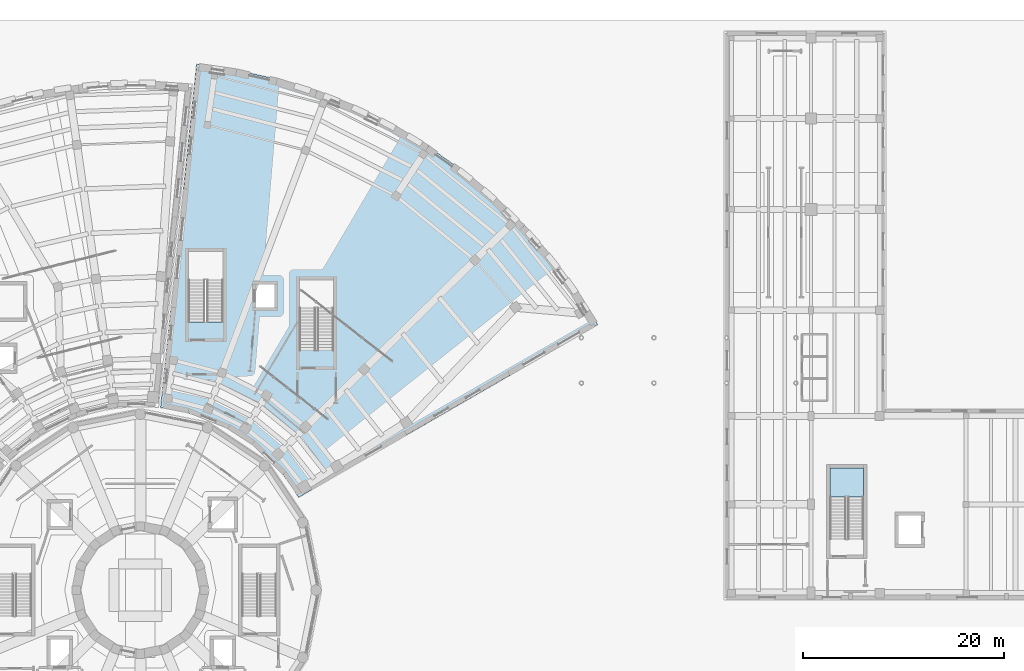
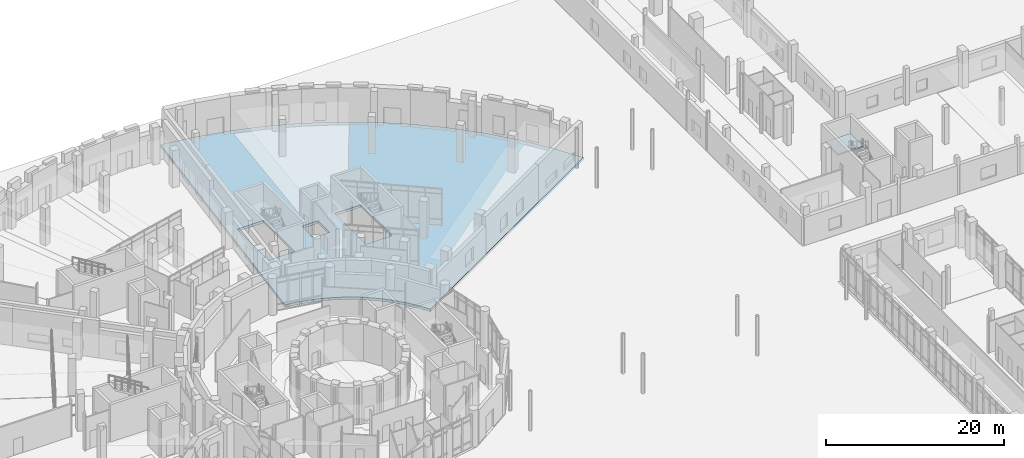
# One storey, part 39 of 74: 2 slabs, 1 element without a shape of its own.
"""IFC4 building model written with IfcOpenShell, lengths in metres."""

from ifc_helpers import new_model, si_unit, direction, frame, origin, place, context, subcontext, project, spatial, polyline, outline, extrude, material, layer, layer_set, type_object, element, aggregate, save


model = new_model("IFC4")

# Units and contexts
model_context = context("Model", 3, precision=1e-05, world=origin(), true_north=direction((0.0, 1.0)))
body_context = subcontext(model_context, "Body", "Model", "MODEL_VIEW")
ifc_project = project(units=[si_unit("LENGTHUNIT", "METRE"), si_unit("AREAUNIT", "SQUARE_METRE"), si_unit("VOLUMEUNIT", "CUBIC_METRE"), si_unit("PLANEANGLEUNIT", "RADIAN"), si_unit("MASSUNIT", "GRAM", prefix="KILO")], contexts=[model_context])

# Site, building, storey
site_placement = place(None, origin())
site = spatial("IfcSite", under=ifc_project, at=site_placement, CompositionType="ELEMENT")
building_placement = place(site_placement, origin())
building = spatial("IfcBuilding", under=site, at=building_placement, Name="Soyqirgoq Riverine Aquarium", CompositionType="ELEMENT")
storey_placement = place(building_placement, origin())
storey = spatial("IfcBuildingStorey", under=building, at=storey_placement, Name="L01", CompositionType="ELEMENT", Elevation=0.0)

# Stair, slab
ifc_material_1 = material(Name="Concrete C35/45", Category="concrete")
stair_type = type_object("IfcStairType", Name="CoreDoglegStair_RC", PredefinedType="HALF_TURN_STAIR", material=ifc_material_1)
stair_placement = place(storey_placement, origin())
stair = element("IfcStair", 1, at=stair_placement, inside=storey, type_object=stair_type, Name="L01 Enclosed Exit Stair ST-8", PredefinedType="HALF_TURN_STAIR")
ifc_material_2 = material(Name="Concrete C35/45", Category="concrete")
ifc_layer_1 = layer(ifc_material_2, 0.199951171875)
ifc_layer_set_1 = layer_set([ifc_layer_1], Name="Concrete C35/45")
slab_type_1 = type_object("IfcSlabType", Name="CoreStairLanding_RC", PredefinedType="LANDING", material=ifc_layer_set_1)
slab_1_placement = place(storey_placement, frame((0.0, 0.0, 2.5)))
slab_1 = element("IfcSlab", 2, at=slab_1_placement, type_object=slab_type_1, Name="ST-8 landing 1", PredefinedType="LANDING", context=body_context, shape_type="SweptSolid", body=[
    extrude(outline(polyline([(127.800048828125, 66.25), (127.800048828125, 69.10009765625), (124.5, 69.10009765625), (124.5, 66.25), (127.800048828125, 66.25)])), origin(), (0.0, 0.0, 1.0), 0.199951171875),
])
aggregate(stair, [slab_1])

# Slab
ifc_material_3 = material(Name="Concrete C40/50", Category="concrete")
ifc_layer_2 = layer(ifc_material_3, 0.35009765625)
ifc_layer_set_2 = layer_set([ifc_layer_2], Name="Concrete C40/50")
slab_type_2 = type_object("IfcSlabType", Name="FloorSlab_350_C40", PredefinedType="FLOOR", material=ifc_layer_set_2)
slab_2_placement = place(storey_placement, frame((0.0, 0.0, -0.35009765625)))
element("IfcSlab", 3, at=slab_2_placement, inside=storey, type_object=slab_type_2, Name="V5 L01 Suspended Floor Slab", PredefinedType="FLOOR", context=body_context, shape_type="SweptSolid", body=[
    extrude(outline(polyline([(70.15966796875, 68.46630859375), (71.015625, 67.31982421875), (71.72021484375, 66.203125), (101.40771484375, 83.343017578125), (99.2666015625, 86.736328125), (96.80029296875, 90.039306640625), (94.082275390625, 93.138671875), (91.12939453125, 96.01513671875), (87.9599609375, 98.651123046875), (84.593505859375, 101.0302734375), (81.05078125, 103.137939453125), (77.353759765625, 104.961181640625), (73.52490234375, 106.48876953125), (69.587890625, 107.711181640625), (65.5673828125, 108.620849609375), (61.5966796875, 109.196533203125), (58.013427734375, 75.1044921875), (59.3203125, 74.914794921875), (60.7158203125, 74.59912109375), (62.08203125, 74.1748046875), (62.8837890625, 73.85498046875), (62.97412109375, 73.8369140625), (63.041259765625, 73.792236328125), (63.41064453125, 73.644775390625), (64.69384765625, 73.011962890625), (65.92333984375, 72.280517578125), (67.091552734375, 71.454833984375), (68.191650390625, 70.5400390625), (68.81005859375, 69.9375), (68.886474609375, 69.886474609375), (68.931396484375, 69.8193359375), (69.21630859375, 69.541748046875), (70.15966796875, 68.46630859375)]), holes=[polyline([(64.199951171875, 83.625), (64.199951171875, 90.60009765625), (60.800048828125, 90.60009765625), (60.800048828125, 83.625), (64.199951171875, 83.625)]), polyline([(67.35009765625, 84.89990234375), (69.449951171875, 84.89990234375), (69.449951171875, 87.5), (67.35009765625, 87.5), (67.35009765625, 84.89990234375)]), polyline([(75.199951171875, 80.824951171875), (75.199951171875, 87.800048828125), (71.800048828125, 87.800048828125), (71.800048828125, 80.824951171875), (75.199951171875, 80.824951171875)])]), origin(), (0.0, 0.0, 1.0), 0.35009765625),
])

save(model, "model.ifc")
